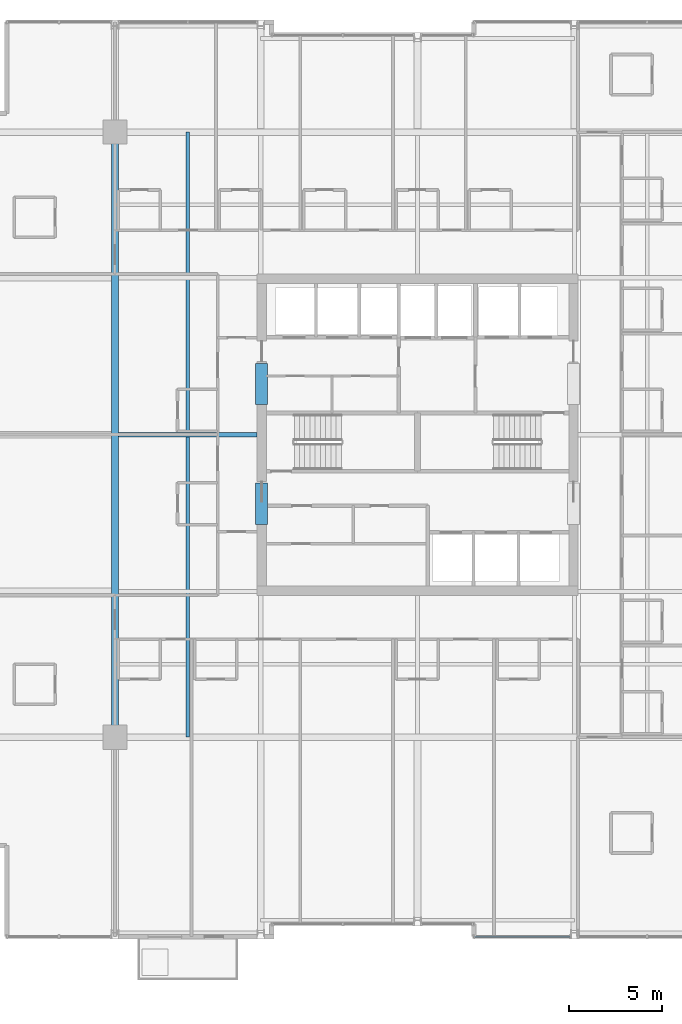
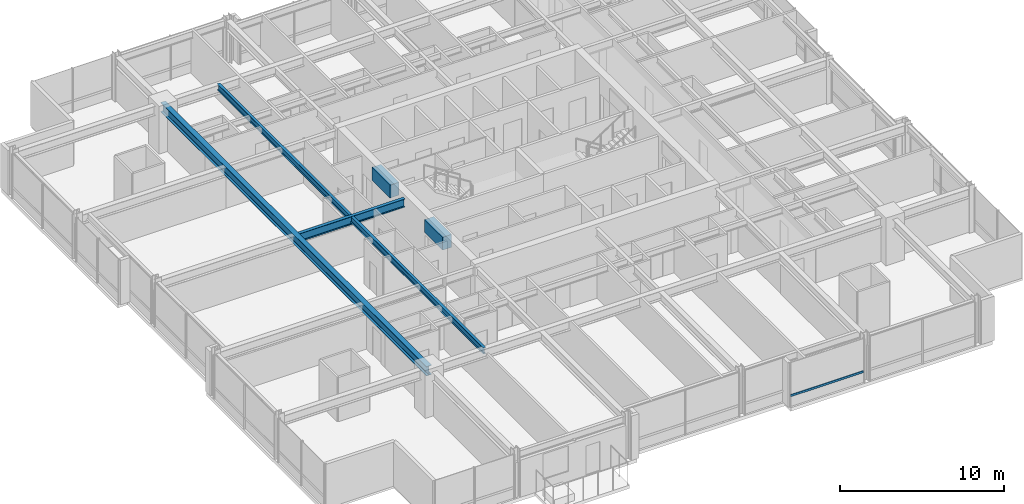
# One storey, part 10 of 32: 5 beams, 1 member, 1 element without a shape of its own.
"""IFC4 building model written with IfcOpenShell, lengths in metres."""

from ifc_helpers import new_model, si_unit, direction, frame, origin, origin_2d, place, context, subcontext, project, spatial, rectangle, hollow_rectangle, i_section, extrude, material, layer, layer_set, material_profile, profile_set, type_object, element, aggregate, save


model = new_model("IFC4")

# Units and contexts
model_context = context("Model", 3, precision=1e-05, world=origin(), true_north=direction((0.0, 1.0)))
body_context = subcontext(model_context, "Body", "Model", "MODEL_VIEW")
ifc_project = project(units=[si_unit("LENGTHUNIT", "METRE"), si_unit("AREAUNIT", "SQUARE_METRE"), si_unit("VOLUMEUNIT", "CUBIC_METRE"), si_unit("PLANEANGLEUNIT", "RADIAN"), si_unit("MASSUNIT", "GRAM", prefix="KILO")], contexts=[model_context])

# Site, building, storey
site_placement = place(None, origin())
site = spatial("IfcSite", under=ifc_project, at=site_placement, CompositionType="ELEMENT")
building_placement = place(site_placement, origin())
building = spatial("IfcBuilding", under=site, at=building_placement, Name="Drelvath Grand Hotel", CompositionType="ELEMENT")
storey_placement = place(building_placement, frame((0.0, 0.0, 150.39990234375)))
storey = spatial("IfcBuildingStorey", under=building, at=storey_placement, Name="L38", CompositionType="ELEMENT", Elevation=150.39990234375)

# Beams
ifc_material_1 = material(Name="Steel ASTM A992 Gr 50", Category="steel")
ifc_material_profile_1 = material_profile(ifc_material_1, i_section(OverallWidth=0.19140625, OverallDepth=0.4599609375, WebThickness=0.010009765625, FlangeThickness=0.01611328125, FilletRadius=0.01611328125, at=origin_2d()), Name="W18X55")
ifc_profile_set_1 = profile_set([ifc_material_profile_1], Name="Steel ASTM A992 Gr 50")
beam_type_1 = type_object("IfcBeamType", Name="Composite Floor Joist W18X55", PredefinedType="JOIST", material=ifc_profile_set_1)
beam_1_placement = place(storey_placement, frame((-12.300048828125, 10.800048828125, 3.06005859375), z_axis=(0.0, 1.0, 0.0), x_axis=(-1.0, 0.0, 0.0)))
element("IfcBeam", 1, at=beam_1_placement, inside=storey, type_object=beam_type_1, Name="L38 Wing Floor Joist J3", PredefinedType="JOIST", context=body_context, shape_type="SweptSolid", body=[
    extrude(i_section(OverallWidth=0.19140625, OverallDepth=0.4599609375, WebThickness=0.010009765625, FlangeThickness=0.01611328125, FilletRadius=0.01611328125, at=origin_2d()), origin(), (0.0, 0.0, 1.0), 32.39990234375),
])
ifc_material_2 = material(Name="Concrete f'c 55 MPa", Category="concrete")
ifc_material_profile_2 = material_profile(ifc_material_2, rectangle(XDim=0.64990234375, YDim=0.949951171875, at=origin_2d()), Name="CB650X950")
ifc_profile_set_2 = profile_set([ifc_material_profile_2], Name="Concrete f'c 55 MPa")
beam_type_2 = type_object("IfcBeamType", Name="Core Coupling Lintel CB650X950", PredefinedType="LINTEL", material=ifc_profile_set_2)
for number, where, z_axis, x_axis, name in (
    (2, (-8.35009765625, 22.199951171875, 2.815185546875), (0.0, 1.0, 0.0), (-1.0, 0.0, 0.0), "L38 Core Coupling Lintel WS"),
    (3, (-8.35009765625, 28.60009765625, 2.815185546875), (0.0, 1.0, 0.0), (-1.0, 0.0, 0.0), "L38 Core Coupling Lintel WN"),
):
    element("IfcBeam", number, at=place(storey_placement, frame(where, z_axis=z_axis, x_axis=x_axis)), inside=storey, type_object=beam_type_2, Name=name, PredefinedType="LINTEL", context=body_context, shape_type="SweptSolid", body=[
        extrude(rectangle(XDim=0.64990234375, YDim=0.949951171875, at=origin_2d()), origin(), (0.0, 0.0, 1.0), 2.199951171875),
    ])

# Curtain wall, member
ifc_material_3 = material(Name="Brushed Pale-Silver Anodised Aluminium Frame", Category="aluminium")
ifc_layer = layer(ifc_material_3, 0.199951171875)
ifc_layer_set = layer_set([ifc_layer], Name="Brushed Pale-Silver Anodised Aluminium Frame")
curtain_wall_type = type_object("IfcCurtainWallType", Name="Stick Curtain Wall CW-04 Brushed Silver Upper-Mid", PredefinedType="NOTDEFINED", material=ifc_layer_set)
curtain_wall_placement = place(storey_placement, origin())
curtain_wall = element("IfcCurtainWall", 4, at=curtain_wall_placement, inside=storey, type_object=curtain_wall_type, Name="L38 CW-04 Curtain Wall CW04-L38-SE1", PredefinedType="NOTDEFINED")
ifc_material_profile_3 = material_profile(ifc_material_3, hollow_rectangle(XDim=0.06494140625, YDim=0.159912109375, WallThickness=0.00390625, at=origin_2d()), Name="HSS160X65X4")
ifc_profile_set_3 = profile_set([ifc_material_profile_3], Name="Brushed Pale-Silver Anodised Aluminium Frame")
member_type = type_object("IfcMemberType", Name="Curtain Wall Horizontal Transom CW-04 HSS160X65X4", PredefinedType="USERDEFINED", material=ifc_profile_set_3)
member_placement = place(storey_placement, frame((8.159912109375, 0.1201171875, 0.822509765625), z_axis=(-1.0, 0.0, 0.0), x_axis=(0.0, -1.0, 0.0)))
member = element("IfcMember", 5, at=member_placement, type_object=member_type, Name="CW04-L38-SE1 Sill Transom", ObjectType="TRANSOM", PredefinedType="USERDEFINED", context=body_context, shape_type="SweptSolid", body=[
    extrude(hollow_rectangle(XDim=0.06494140625, YDim=0.159912109375, WallThickness=0.00390625, at=origin_2d()), origin(), (0.0, 0.0, 1.0), 5.119873046875),
])
aggregate(curtain_wall, [member])

# Beams
ifc_material_profile_4 = material_profile(ifc_material_1, i_section(OverallWidth=0.228271484375, OverallDepth=0.607666015625, WebThickness=0.01123046875, FlangeThickness=0.017333984375, FilletRadius=0.02001953125, at=origin_2d()), Name="W24X76")
ifc_profile_set_4 = profile_set([ifc_material_profile_4], Name="Steel ASTM A992 Gr 50")
beam_type_3 = type_object("IfcBeamType", Name="Primary Floor Girder W24X76", PredefinedType="BEAM", material=ifc_profile_set_4)
beam_2_placement = place(storey_placement, frame((-16.022705078125, 27.0, 2.986328125), z_axis=(1.0, 0.0, 0.0), x_axis=(0.0, 1.0, 0.0)))
element("IfcBeam", 6, at=beam_2_placement, inside=storey, type_object=beam_type_3, Name="L38 West Core Tie E", PredefinedType="BEAM", context=body_context, shape_type="SweptSolid", body=[
    extrude(i_section(OverallWidth=0.228271484375, OverallDepth=0.607666015625, WebThickness=0.01123046875, FlangeThickness=0.017333984375, FilletRadius=0.02001953125, at=origin_2d()), origin(), (0.0, 0.0, 1.0), 7.422607421875),
])
ifc_material_profile_5 = material_profile(ifc_material_1, i_section(OverallWidth=0.354736328125, OverallDepth=0.695556640625, WebThickness=0.015380859375, FlangeThickness=0.025146484375, FilletRadius=0.02392578125, at=origin_2d()), Name="W27X146")
ifc_profile_set_5 = profile_set([ifc_material_profile_5], Name="Steel ASTM A992 Gr 50")
beam_type_4 = type_object("IfcBeamType", Name="Primary Floor Girder W27X146", PredefinedType="BEAM", material=ifc_profile_set_5)
beam_3_placement = place(storey_placement, frame((-16.199951171875, 10.800048828125, 2.9423828125), z_axis=(0.0, 1.0, 0.0), x_axis=(-1.0, 0.0, 0.0)))
element("IfcBeam", 7, at=beam_3_placement, inside=storey, type_object=beam_type_4, Name="L38 Mega Ring Girder West", PredefinedType="BEAM", context=body_context, shape_type="SweptSolid", body=[
    extrude(i_section(OverallWidth=0.354736328125, OverallDepth=0.695556640625, WebThickness=0.015380859375, FlangeThickness=0.025146484375, FilletRadius=0.02392578125, at=origin_2d()), origin(), (0.0, 0.0, 1.0), 32.39990234375),
])

save(model, "model.ifc")
